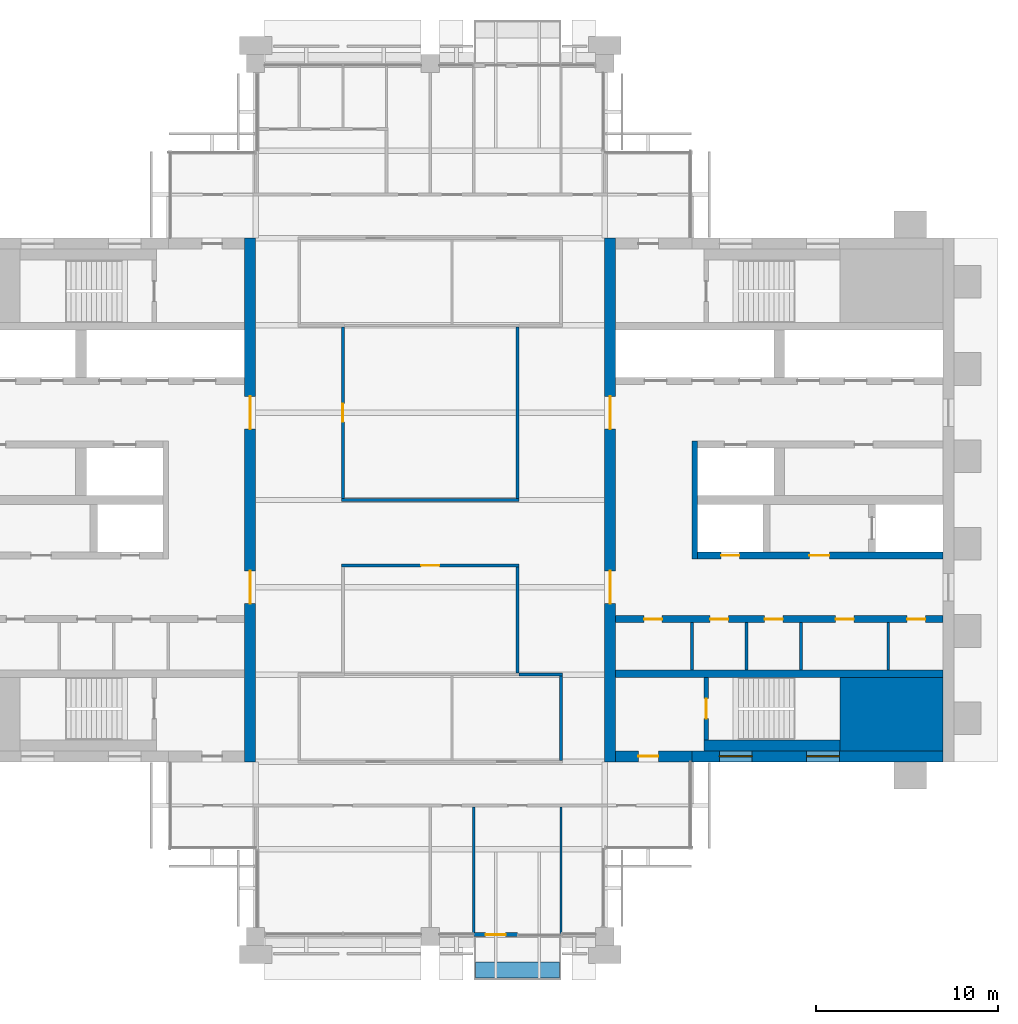
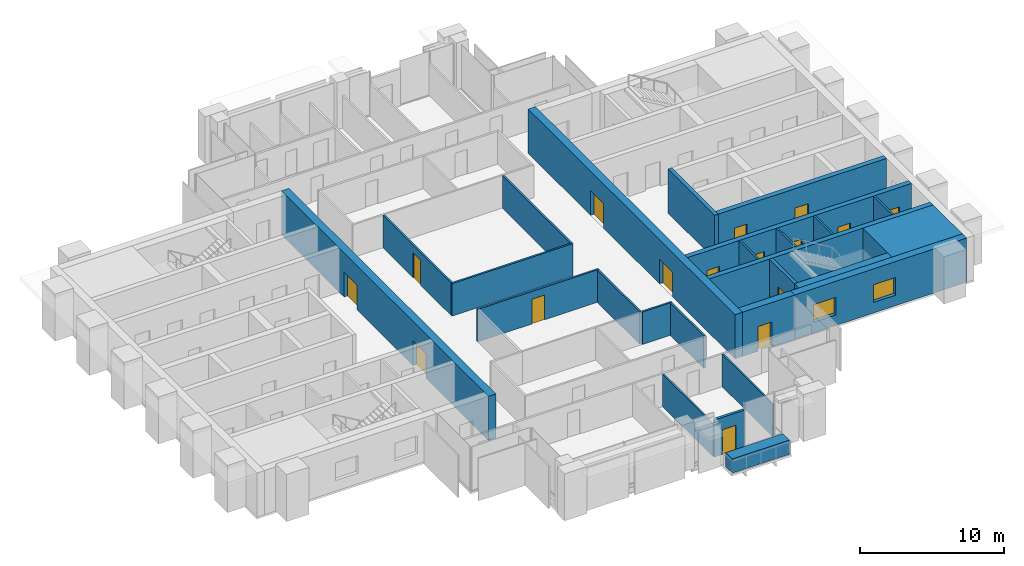
# One storey, part 9 of 13: 26 walls, 16 doors, 2 windows, 18 openings.
"""IFC4 building model written with IfcOpenShell, lengths in metres."""

from ifc_helpers import new_model, si_unit, direction, frame, frame_2d, origin, place, context, subcontext, project, spatial, rectangle, extrude, material, layer, layer_set, type_object, element, fill, save


model = new_model("IFC4")

# Units and contexts
model_context = context("Model", 3, precision=1e-05, world=origin(), true_north=direction((0.0, 1.0)))
body_context = subcontext(model_context, "Body", "Model", "MODEL_VIEW")
ifc_project = project(units=[si_unit("LENGTHUNIT", "METRE"), si_unit("AREAUNIT", "SQUARE_METRE"), si_unit("VOLUMEUNIT", "CUBIC_METRE"), si_unit("PLANEANGLEUNIT", "RADIAN"), si_unit("MASSUNIT", "GRAM", prefix="KILO")], contexts=[model_context])

# Site, building, storey
site_placement = place(None, origin())
site = spatial("IfcSite", under=ifc_project, at=site_placement, CompositionType="ELEMENT")
building_placement = place(site_placement, origin())
building = spatial("IfcBuilding", under=site, at=building_placement, Name="Baori Bourse Tower", CompositionType="ELEMENT")
storey_placement = place(building_placement, frame((0.0, 0.0, 350.300048828125)))
storey = spatial("IfcBuildingStorey", under=building, at=storey_placement, Name="L78", CompositionType="ELEMENT", Elevation=350.300048828125)

# Walls
ifc_material_1 = material(Name="Concrete f'c 40 MPa", Category="concrete")
wall_type_1 = type_object("IfcWallType", Name="Core corner block f'c 40", PredefinedType="SHEAR", material=ifc_material_1)
wall_1_placement = place(storey_placement, frame((51.35009765625, 12.22509765625, 0.0), z_axis=(0.0, 0.0, 1.0), x_axis=(1.0, 0.0, 0.0)))
element("IfcWall", 1, at=wall_1_placement, inside=storey, type_object=wall_type_1, Name="Core wall E05", PredefinedType="SHEAR", context=body_context, shape_type="SweptSolid", body=[
    extrude(rectangle(XDim=5.64990234375, YDim=4.050048828125, at=frame_2d((2.824951171875, 0.0))), origin(), (0.0, 0.0, 1.0), 3.75),
])
ifc_material_2 = material(Name="Blockwork partition", Category="masonry")
ifc_layer_1 = layer(ifc_material_2, 0.14990234375)
ifc_layer_set_1 = layer_set([ifc_layer_1], Name="Core partition 150")
wall_type_2 = type_object("IfcWallType", Name="Core partition 150", PredefinedType="PARTITIONING", material=ifc_layer_set_1)
for number, where, z_axis, x_axis, name in (
    (2, (54.0, 14.64990234375, 0.0), (0.0, 0.0, 1.0), (0.0, 1.0, 0.0), "Partition wall E09"),
    (3, (49.199951171875, 14.64990234375, 0.0), (0.0, 0.0, 1.0), (0.0, 1.0, 0.0), "Partition wall E10"),
    (4, (46.199951171875, 14.64990234375, 0.0), (0.0, 0.0, 1.0), (0.0, 1.0, 0.0), "Partition wall E11"),
    (5, (43.199951171875, 14.64990234375, 0.0), (0.0, 0.0, 1.0), (0.0, 1.0, 0.0), "Partition wall E12"),
):
    element("IfcWall", number, at=place(storey_placement, frame(where, z_axis=z_axis, x_axis=x_axis)), inside=storey, type_object=wall_type_2, Name=name, PredefinedType="PARTITIONING", context=body_context, shape_type="SweptSolid", body=[
        extrude(rectangle(XDim=2.60009765625, YDim=0.14990234375, at=frame_2d((1.300048828125, 0.0))), origin(), (0.0, 0.0, 1.0), 3.75),
    ])

# Wall, openings, doors
ifc_material_3 = material(Name="Concrete f'c 40 MPa", Category="concrete")
ifc_layer_2 = layer(ifc_material_3, 0.60009765625)
ifc_layer_set_2 = layer_set([ifc_layer_2], Name="Core wall 600 f'c 40")
wall_type_3 = type_object("IfcWallType", Name="Core wall 600 f'c 40", PredefinedType="SHEAR", material=ifc_layer_set_2)
wall_2_placement = place(storey_placement, frame((18.89990234375, 38.39990234375, 0.0), z_axis=(0.0, 0.0, 1.0), x_axis=(0.0, -1.0, 0.0)))
wall_2 = element("IfcWall", 6, at=wall_2_placement, inside=storey, type_object=wall_type_3, Name="Core wall W04", PredefinedType="SHEAR", context=body_context, shape_type="SweptSolid", body=[
    extrude(rectangle(XDim=28.7998046875, YDim=0.60009765625, at=frame_2d((14.39990234375, 0.0))), origin(), (0.0, 0.0, 1.0), 3.75),
])
opening_1_placement = place(wall_2_placement, frame((18.300048828125, 0.0, 0.0)))
opening_1 = element("IfcOpeningElement", 7, at=opening_1_placement, cuts=wall_2, Name="Opening L78-D107", PredefinedType="OPENING", context=body_context, shape_type="SweptSolid", body=[
    extrude(rectangle(XDim=1.800048828125, YDim=2.10009765625, at=frame_2d((0.89990234375, 1.050048828125))), frame((0.0, 0.31005859375, 0.0), z_axis=(0.0, -1.0, 0.0), x_axis=(1.0, 0.0, 0.0)), (0.0, 0.0, 1.0), 0.6201171875),
])
opening_2_placement = place(wall_2_placement, frame((8.699951171875, 0.0, 0.0)))
opening_2 = element("IfcOpeningElement", 8, at=opening_2_placement, cuts=wall_2, Name="Opening L78-D108", PredefinedType="OPENING", context=body_context, shape_type="SweptSolid", body=[
    extrude(rectangle(XDim=1.800048828125, YDim=2.10009765625, at=frame_2d((0.89990234375, 1.050048828125))), frame((0.0, 0.31005859375, 0.0), z_axis=(0.0, -1.0, 0.0), x_axis=(1.0, 0.0, 0.0)), (0.0, 0.0, 1.0), 0.6201171875),
])
ifc_material_4 = material(Name="Painted steel door", Category="steel")
door_type_1 = type_object("IfcDoorType", Name="Core lobby door 1800", OperationType="DOUBLE_DOOR_SINGLE_SWING", PredefinedType="DOOR", material=ifc_material_4)
door_1_placement = place(opening_1_placement, origin())
door_1 = element("IfcDoor", 9, at=door_1_placement, inside=storey, type_object=door_type_1, Name="Lobby door W L78", OperationType="DOUBLE_DOOR_SINGLE_SWING", OverallHeight=2.10009765625, OverallWidth=1.800048828125, PredefinedType="DOOR", context=body_context, shape_type="SweptSolid", body=[
    extrude(rectangle(XDim=1.800048828125, YDim=2.10009765625, at=frame_2d((0.89990234375, 1.050048828125))), frame((0.0, 0.02490234375, 0.0), z_axis=(0.0, -1.0, 0.0), x_axis=(1.0, 0.0, 0.0)), (0.0, 0.0, 1.0), 0.050048828125),
])
fill(opening_1, door_1)
door_2_placement = place(opening_2_placement, origin())
door_2 = element("IfcDoor", 10, at=door_2_placement, inside=storey, type_object=door_type_1, Name="Lobby door W L78", OperationType="DOUBLE_DOOR_SINGLE_SWING", OverallHeight=2.10009765625, OverallWidth=1.800048828125, PredefinedType="DOOR", context=body_context, shape_type="SweptSolid", body=[
    extrude(rectangle(XDim=1.800048828125, YDim=2.10009765625, at=frame_2d((0.89990234375, 1.050048828125))), frame((0.0, 0.02490234375, 0.0), z_axis=(0.0, -1.0, 0.0), x_axis=(1.0, 0.0, 0.0)), (0.0, 0.0, 1.0), 0.050048828125),
])
fill(opening_2, door_2)

# Wall, openings, windows
wall_3_placement = place(storey_placement, frame((57.0, 9.89990234375, 0.0), z_axis=(0.0, 0.0, 1.0), x_axis=(-1.0, 0.0, 0.0)))
wall_3 = element("IfcWall", 11, at=wall_3_placement, inside=storey, type_object=wall_type_3, Name="Core wall E02", PredefinedType="SHEAR", context=body_context, shape_type="SweptSolid", body=[
    extrude(rectangle(XDim=13.800048828125, YDim=0.60009765625, at=frame_2d((6.89990234375, 0.0))), origin(), (0.0, 0.0, 1.0), 3.75),
])
opening_3_placement = place(wall_3_placement, frame((5.699951171875, 0.0, 0.89990234375)))
opening_3 = element("IfcOpeningElement", 12, at=opening_3_placement, cuts=wall_3, Name="Opening L78-KW203", PredefinedType="OPENING", context=body_context, shape_type="SweptSolid", body=[
    extrude(rectangle(XDim=1.800048828125, YDim=1.5, at=frame_2d((0.89990234375, 0.75))), frame((0.0, 0.31005859375, 0.0), z_axis=(0.0, -1.0, 0.0), x_axis=(1.0, 0.0, 0.0)), (0.0, 0.0, 1.0), 0.6201171875),
])
opening_4_placement = place(wall_3_placement, frame((10.5, 0.0, 0.89990234375)))
opening_4 = element("IfcOpeningElement", 13, at=opening_4_placement, cuts=wall_3, Name="Opening L78-KW204", PredefinedType="OPENING", context=body_context, shape_type="SweptSolid", body=[
    extrude(rectangle(XDim=1.800048828125, YDim=1.5, at=frame_2d((0.89990234375, 0.75))), frame((0.0, 0.31005859375, 0.0), z_axis=(0.0, -1.0, 0.0), x_axis=(1.0, 0.0, 0.0)), (0.0, 0.0, 1.0), 0.6201171875),
])
ifc_material_5 = material(Name="Pale anodised aluminium", Category="aluminium")
window_type = type_object("IfcWindowType", Name="Stair window 1800 x 1500", PartitioningType="SINGLE_PANEL", PredefinedType="WINDOW", material=ifc_material_5)
window_1_placement = place(opening_3_placement, origin())
window_1 = element("IfcWindow", 14, at=window_1_placement, inside=storey, type_object=window_type, Name="Stair window E L78 3", OverallHeight=1.5, OverallWidth=1.800048828125, PartitioningType="SINGLE_PANEL", PredefinedType="WINDOW", context=body_context, shape_type="SweptSolid", body=[
    extrude(rectangle(XDim=1.800048828125, YDim=1.5, at=frame_2d((0.89990234375, 0.75))), frame((0.0, 0.030029296875, 0.0), z_axis=(0.0, -1.0, 0.0), x_axis=(1.0, 0.0, 0.0)), (0.0, 0.0, 1.0), 0.06005859375),
])
fill(opening_3, window_1)
window_2_placement = place(opening_4_placement, origin())
window_2 = element("IfcWindow", 15, at=window_2_placement, inside=storey, type_object=window_type, Name="Stair window E L78 4", OverallHeight=1.5, OverallWidth=1.800048828125, PartitioningType="SINGLE_PANEL", PredefinedType="WINDOW", context=body_context, shape_type="SweptSolid", body=[
    extrude(rectangle(XDim=1.800048828125, YDim=1.5, at=frame_2d((0.89990234375, 0.75))), frame((0.0, 0.030029296875, 0.0), z_axis=(0.0, -1.0, 0.0), x_axis=(1.0, 0.0, 0.0)), (0.0, 0.0, 1.0), 0.06005859375),
])
fill(opening_4, window_2)

# Wall, opening, door
wall_4_placement = place(storey_placement, frame((43.199951171875, 9.89990234375, 0.0), z_axis=(0.0, 0.0, 1.0), x_axis=(-1.0, 0.0, 0.0)))
wall_4 = element("IfcWall", 16, at=wall_4_placement, inside=storey, type_object=wall_type_3, Name="Core wall E03", PredefinedType="SHEAR", context=body_context, shape_type="SweptSolid", body=[
    extrude(rectangle(XDim=4.199951171875, YDim=0.60009765625, at=frame_2d((2.10009765625, 0.0))), origin(), (0.0, 0.0, 1.0), 3.75),
])
opening_5_placement = place(wall_4_placement, frame((1.85009765625, 0.0, 0.0)))
opening_5 = element("IfcOpeningElement", 17, at=opening_5_placement, cuts=wall_4, Name="Opening L78-D202", PredefinedType="OPENING", context=body_context, shape_type="SweptSolid", body=[
    extrude(rectangle(XDim=1.10009765625, YDim=2.10009765625, at=frame_2d((0.550048828125, 1.050048828125))), frame((0.0, 0.31005859375, 0.0), z_axis=(0.0, -1.0, 0.0), x_axis=(1.0, 0.0, 0.0)), (0.0, 0.0, 1.0), 0.6201171875),
])
ifc_material_6 = material(Name="Painted steel door", Category="steel")
door_type_2 = type_object("IfcDoorType", Name="Stair door 1100", OperationType="SINGLE_SWING_LEFT", PredefinedType="DOOR", material=ifc_material_6)
door_3_placement = place(opening_5_placement, origin())
door_3 = element("IfcDoor", 18, at=door_3_placement, inside=storey, type_object=door_type_2, Name="Stair vestibule door A E L78", OperationType="SINGLE_SWING_LEFT", OverallHeight=2.10009765625, OverallWidth=1.10009765625, PredefinedType="DOOR", context=body_context, shape_type="SweptSolid", body=[
    extrude(rectangle(XDim=1.10009765625, YDim=2.10009765625, at=frame_2d((0.550048828125, 1.050048828125))), frame((0.0, 0.02490234375, 0.0), z_axis=(0.0, -1.0, 0.0), x_axis=(1.0, 0.0, 0.0)), (0.0, 0.0, 1.0), 0.050048828125),
])
fill(opening_5, door_3)

# Wall, openings, doors
wall_5_placement = place(storey_placement, frame((38.699951171875, 9.60009765625, 0.0), z_axis=(0.0, 0.0, 1.0), x_axis=(0.0, 1.0, 0.0)))
wall_5 = element("IfcWall", 19, at=wall_5_placement, inside=storey, type_object=wall_type_3, Name="Core wall E04", PredefinedType="SHEAR", context=body_context, shape_type="SweptSolid", body=[
    extrude(rectangle(XDim=28.7998046875, YDim=0.60009765625, at=frame_2d((14.39990234375, 0.0))), origin(), (0.0, 0.0, 1.0), 3.75),
])
opening_6_placement = place(wall_5_placement, frame((8.699951171875, 0.0, 0.0)))
opening_6 = element("IfcOpeningElement", 20, at=opening_6_placement, cuts=wall_5, Name="Opening L78-D207", PredefinedType="OPENING", context=body_context, shape_type="SweptSolid", body=[
    extrude(rectangle(XDim=1.800048828125, YDim=2.10009765625, at=frame_2d((0.89990234375, 1.050048828125))), frame((0.0, 0.31005859375, 0.0), z_axis=(0.0, -1.0, 0.0), x_axis=(1.0, 0.0, 0.0)), (0.0, 0.0, 1.0), 0.6201171875),
])
opening_7_placement = place(wall_5_placement, frame((18.300048828125, 0.0, 0.0)))
opening_7 = element("IfcOpeningElement", 21, at=opening_7_placement, cuts=wall_5, Name="Opening L78-D208", PredefinedType="OPENING", context=body_context, shape_type="SweptSolid", body=[
    extrude(rectangle(XDim=1.800048828125, YDim=2.10009765625, at=frame_2d((0.89990234375, 1.050048828125))), frame((0.0, 0.31005859375, 0.0), z_axis=(0.0, -1.0, 0.0), x_axis=(1.0, 0.0, 0.0)), (0.0, 0.0, 1.0), 0.6201171875),
])
door_4_placement = place(opening_6_placement, origin())
door_4 = element("IfcDoor", 22, at=door_4_placement, inside=storey, type_object=door_type_1, Name="Lobby door E L78", OperationType="DOUBLE_DOOR_SINGLE_SWING", OverallHeight=2.10009765625, OverallWidth=1.800048828125, PredefinedType="DOOR", context=body_context, shape_type="SweptSolid", body=[
    extrude(rectangle(XDim=1.800048828125, YDim=2.10009765625, at=frame_2d((0.89990234375, 1.050048828125))), frame((0.0, 0.02490234375, 0.0), z_axis=(0.0, -1.0, 0.0), x_axis=(1.0, 0.0, 0.0)), (0.0, 0.0, 1.0), 0.050048828125),
])
fill(opening_6, door_4)
door_5_placement = place(opening_7_placement, origin())
door_5 = element("IfcDoor", 23, at=door_5_placement, inside=storey, type_object=door_type_1, Name="Lobby door E L78", OperationType="DOUBLE_DOOR_SINGLE_SWING", OverallHeight=2.10009765625, OverallWidth=1.800048828125, PredefinedType="DOOR", context=body_context, shape_type="SweptSolid", body=[
    extrude(rectangle(XDim=1.800048828125, YDim=2.10009765625, at=frame_2d((0.89990234375, 1.050048828125))), frame((0.0, 0.02490234375, 0.0), z_axis=(0.0, -1.0, 0.0), x_axis=(1.0, 0.0, 0.0)), (0.0, 0.0, 1.0), 0.050048828125),
])
fill(opening_7, door_5)

# Wall
ifc_material_7 = material(Name="Gypsum board partition")
ifc_layer_3 = layer(ifc_material_7, 0.14990234375)
ifc_layer_set_3 = layer_set([ifc_layer_3], Name="Corridor partition 150")
wall_type_4 = type_object("IfcWallType", Name="Corridor partition 150", PredefinedType="PARTITIONING", material=ifc_layer_set_3)
wall_6_placement = place(storey_placement, frame((33.675048828125, 14.39990234375, 0.0), z_axis=(0.0, 0.0, 1.0), x_axis=(1.0, 0.0, 0.0)))
element("IfcWall", 24, at=wall_6_placement, inside=storey, type_object=wall_type_4, Name="Partition", PredefinedType="PARTITIONING", context=body_context, shape_type="SweptSolid", body=[
    extrude(rectangle(XDim=2.39990234375, YDim=0.14990234375, at=frame_2d((1.199951171875, 0.0))), origin(), (0.0, 0.0, 1.0), 2.75927734375),
])

# Wall, opening, door
wall_7_placement = place(storey_placement, frame((23.925048828125, 20.39990234375, 0.0), z_axis=(0.0, 0.0, 1.0), x_axis=(1.0, 0.0, 0.0)))
wall_7 = element("IfcWall", 25, at=wall_7_placement, inside=storey, type_object=wall_type_4, Name="Partition", PredefinedType="PARTITIONING", context=body_context, shape_type="SweptSolid", body=[
    extrude(rectangle(XDim=9.75, YDim=0.14990234375, at=frame_2d((4.875, 0.0))), origin(), (0.0, 0.0, 1.0), 2.75927734375),
])
opening_8_placement = place(wall_7_placement, frame((4.375, 0.0, 0.0)))
opening_8 = element("IfcOpeningElement", 26, at=opening_8_placement, cuts=wall_7, Name="Opening L78-D08", PredefinedType="OPENING", context=body_context, shape_type="SweptSolid", body=[
    extrude(rectangle(XDim=1.0, YDim=2.10009765625, at=frame_2d((0.5, 1.050048828125))), frame((0.0, 0.0849609375, 0.0), z_axis=(0.0, -1.0, 0.0), x_axis=(1.0, 0.0, 0.0)), (0.0, 0.0, 1.0), 0.169921875),
])
ifc_material_8 = material(Name="Timber door leaf", Category="wood")
door_type_3 = type_object("IfcDoorType", Name="Door 1000 x 2100", OperationType="SINGLE_SWING_LEFT", PredefinedType="DOOR", material=ifc_material_8)
door_6_placement = place(opening_8_placement, origin())
door_6 = element("IfcDoor", 27, at=door_6_placement, inside=storey, type_object=door_type_3, Name="Door", OperationType="SINGLE_SWING_RIGHT", OverallHeight=2.10009765625, OverallWidth=1.0, PredefinedType="DOOR", context=body_context, shape_type="SweptSolid", body=[
    extrude(rectangle(XDim=1.0, YDim=2.10009765625, at=frame_2d((0.5, 1.050048828125))), frame((0.0, 0.02490234375, 0.0), z_axis=(0.0, -1.0, 0.0), x_axis=(1.0, 0.0, 0.0)), (0.0, 0.0, 1.0), 0.050048828125),
])
fill(opening_8, door_6)

# Wall
wall_8_placement = place(storey_placement, frame((23.925048828125, 24.0, 0.0), z_axis=(0.0, 0.0, 1.0), x_axis=(1.0, 0.0, 0.0)))
element("IfcWall", 28, at=wall_8_placement, inside=storey, type_object=wall_type_4, Name="Partition", PredefinedType="PARTITIONING", context=body_context, shape_type="SweptSolid", body=[
    extrude(rectangle(XDim=9.75, YDim=0.14990234375, at=frame_2d((4.875, 0.0))), origin(), (0.0, 0.0, 1.0), 2.75927734375),
])

# Wall, opening, door
wall_9_placement = place(storey_placement, frame((24.0, 24.074951171875, 0.0), z_axis=(0.0, 0.0, 1.0), x_axis=(0.0, 1.0, 0.0)))
wall_9 = element("IfcWall", 29, at=wall_9_placement, inside=storey, type_object=wall_type_4, Name="Partition", PredefinedType="PARTITIONING", context=body_context, shape_type="SweptSolid", body=[
    extrude(rectangle(XDim=9.449951171875, YDim=0.14990234375, at=frame_2d((4.72509765625, 0.0))), origin(), (0.0, 0.0, 1.0), 2.75927734375),
])
opening_9_placement = place(wall_9_placement, frame((4.22509765625, 0.0, 0.0)))
opening_9 = element("IfcOpeningElement", 30, at=opening_9_placement, cuts=wall_9, Name="Opening L78-D21", PredefinedType="OPENING", context=body_context, shape_type="SweptSolid", body=[
    extrude(rectangle(XDim=1.0, YDim=2.10009765625, at=frame_2d((0.5, 1.050048828125))), frame((0.0, 0.0849609375, 0.0), z_axis=(0.0, -1.0, 0.0), x_axis=(1.0, 0.0, 0.0)), (0.0, 0.0, 1.0), 0.169921875),
])
door_7_placement = place(opening_9_placement, origin())
door_7 = element("IfcDoor", 31, at=door_7_placement, inside=storey, type_object=door_type_3, Name="Door", OperationType="SINGLE_SWING_RIGHT", OverallHeight=2.10009765625, OverallWidth=1.0, PredefinedType="DOOR", context=body_context, shape_type="SweptSolid", body=[
    extrude(rectangle(XDim=1.0, YDim=2.10009765625, at=frame_2d((0.5, 1.050048828125))), frame((0.0, 0.02490234375, 0.0), z_axis=(0.0, -1.0, 0.0), x_axis=(1.0, 0.0, 0.0)), (0.0, 0.0, 1.0), 0.050048828125),
])
fill(opening_9, door_7)

# Walls
wall_10_placement = place(storey_placement, frame((33.60009765625, 14.47509765625, 0.0), z_axis=(0.0, 0.0, 1.0), x_axis=(0.0, 1.0, 0.0)))
element("IfcWall", 32, at=wall_10_placement, inside=storey, type_object=wall_type_4, Name="Partition", PredefinedType="PARTITIONING", context=body_context, shape_type="SweptSolid", body=[
    extrude(rectangle(XDim=5.849853515625, YDim=0.14990234375, at=frame_2d((2.9248046875, 0.0))), origin(), (0.0, 0.0, 1.0), 2.75927734375),
])
wall_11_placement = place(storey_placement, frame((33.60009765625, 24.074951171875, 0.0), z_axis=(0.0, 0.0, 1.0), x_axis=(0.0, 1.0, 0.0)))
element("IfcWall", 33, at=wall_11_placement, inside=storey, type_object=wall_type_4, Name="Partition", PredefinedType="PARTITIONING", context=body_context, shape_type="SweptSolid", body=[
    extrude(rectangle(XDim=9.449951171875, YDim=0.14990234375, at=frame_2d((4.72509765625, 0.0))), origin(), (0.0, 0.0, 1.0), 2.75927734375),
])
wall_12_placement = place(storey_placement, frame((36.0, 9.675048828125, 0.0), z_axis=(0.0, 0.0, 1.0), x_axis=(0.0, 1.0, 0.0)))
element("IfcWall", 34, at=wall_12_placement, inside=storey, type_object=wall_type_4, Name="Partition", PredefinedType="PARTITIONING", context=body_context, shape_type="SweptSolid", body=[
    extrude(rectangle(XDim=4.64990234375, YDim=0.14990234375, at=frame_2d((2.324951171875, 0.0))), origin(), (0.0, 0.0, 1.0), 2.75927734375),
])

# Wall, opening, door
ifc_material_9 = material(Name="Pale anodised aluminium", Category="aluminium")
ifc_layer_4 = layer(ifc_material_9, 0.199951171875)
ifc_layer_set_4 = layer_set([ifc_layer_4], Name="EW1 External wall bay")
wall_type_5 = type_object("IfcWallType", Name="EW1 External wall bay", PredefinedType="SOLIDWALL", material=ifc_layer_set_4)
wall_13_placement = place(storey_placement, frame((31.199951171875, 0.10009765625, 0.0), z_axis=(0.0, 0.0, 1.0), x_axis=(1.0, 0.0, 0.0)))
wall_13 = element("IfcWall", 35, at=wall_13_placement, inside=storey, type_object=wall_type_5, Name="External wall bay L78 2", PredefinedType="SOLIDWALL", context=body_context, shape_type="SweptSolid", body=[
    extrude(rectangle(XDim=2.400146484375, YDim=0.199951171875, at=frame_2d((1.2001953125, 0.0))), origin(), (0.0, 0.0, 1.0), 3.150390625),
])
opening_10_placement = place(wall_13_placement, frame((0.64990234375, 0.0, 0.0)))
opening_10 = element("IfcOpeningElement", 36, at=opening_10_placement, cuts=wall_13, Name="Opening L78-D92", PredefinedType="OPENING", context=body_context, shape_type="SweptSolid", body=[
    extrude(rectangle(XDim=1.10009765625, YDim=2.10009765625, at=frame_2d((0.550048828125, 1.050048828125))), frame((0.0, 0.10986328125, 0.0), z_axis=(0.0, -1.0, 0.0), x_axis=(1.0, 0.0, 0.0)), (0.0, 0.0, 1.0), 0.219970703125),
])
ifc_material_10 = material(Name="Pale anodised aluminium", Category="aluminium")
door_type_4 = type_object("IfcDoorType", Name="BL1 Balcony door", OperationType="SINGLE_SWING_LEFT", PredefinedType="DOOR", material=ifc_material_10)
door_8_placement = place(opening_10_placement, origin())
door_8 = element("IfcDoor", 37, at=door_8_placement, inside=storey, type_object=door_type_4, Name="Balcony door L78 2", OperationType="SINGLE_SWING_LEFT", OverallHeight=2.10009765625, OverallWidth=1.10009765625, PredefinedType="DOOR", context=body_context, shape_type="SweptSolid", body=[
    extrude(rectangle(XDim=1.10009765625, YDim=2.10009765625, at=frame_2d((0.550048828125, 1.050048828125))), frame((0.0, 0.02490234375, 0.0), z_axis=(0.0, -1.0, 0.0), x_axis=(1.0, 0.0, 0.0)), (0.0, 0.0, 1.0), 0.050048828125),
])
fill(opening_10, door_8)

# Walls
ifc_material_11 = material(Name="Concrete f'c 40 MPa", Category="concrete")
ifc_layer_5 = layer(ifc_material_11, 0.89990234375)
ifc_layer_set_5 = layer_set([ifc_layer_5], Name="PW1 Planter wall")
wall_type_6 = type_object("IfcWallType", Name="PW1 Planter wall", PredefinedType="USERDEFINED", material=ifc_layer_set_5)
wall_14_placement = place(storey_placement, frame((31.300048828125, -1.85009765625, 0.0), z_axis=(0.0, 0.0, 1.0), x_axis=(1.0, 0.0, 0.0)))
element("IfcWall", 38, at=wall_14_placement, inside=storey, type_object=wall_type_6, Name="Planter balcony S L78 1", ObjectType="PLANTER", PredefinedType="USERDEFINED", context=body_context, shape_type="SweptSolid", body=[
    extrude(rectangle(XDim=4.599853515625, YDim=0.89990234375, at=frame_2d((2.2998046875, 0.0))), origin(), (0.0, 0.0, 1.0), 1.199951171875),
])
ifc_material_12 = material(Name="Gypsum board partition")
ifc_layer_6 = layer(ifc_material_12, 0.125)
ifc_layer_set_6 = layer_set([ifc_layer_6], Name="Partition 125")
wall_type_7 = type_object("IfcWallType", Name="Partition 125", PredefinedType="PARTITIONING", material=ifc_layer_set_6)
for number, where, z_axis, x_axis, name in (
    (39, (31.199951171875, 0.10009765625, 0.0), (0.0, 0.0, 1.0), (0.0, 1.0, 0.0), "Partition"),
    (40, (36.0, 0.10009765625, 0.0), (0.0, 0.0, 1.0), (0.0, 1.0, 0.0), "Partition"),
):
    element("IfcWall", number, at=place(storey_placement, frame(where, z_axis=z_axis, x_axis=x_axis)), inside=storey, type_object=wall_type_7, Name=name, PredefinedType="PARTITIONING", context=body_context, shape_type="SweptSolid", body=[
        extrude(rectangle(XDim=7.02490234375, YDim=0.125, at=frame_2d((3.512451171875, 0.0))), origin(), (0.0, 0.0, 1.0), 2.75927734375),
    ])

# Wall, opening, door
ifc_material_13 = material(Name="Concrete f'c 40 MPa", Category="concrete")
ifc_layer_7 = layer(ifc_material_13, 0.25)
ifc_layer_set_7 = layer_set([ifc_layer_7], Name="Shaft wall 250 f'c 40")
wall_type_8 = type_object("IfcWallType", Name="Shaft wall 250 f'c 40", PredefinedType="SHEAR", material=ifc_layer_set_7)
wall_15_placement = place(storey_placement, frame((43.97509765625, 10.800048828125, 0.0), z_axis=(0.0, 0.0, 1.0), x_axis=(0.0, 1.0, 0.0)))
wall_15 = element("IfcWall", 41, at=wall_15_placement, inside=storey, type_object=wall_type_8, Name="Core wall E07", PredefinedType="SHEAR", context=body_context, shape_type="SweptSolid", body=[
    extrude(rectangle(XDim=3.449951171875, YDim=0.25, at=frame_2d((1.72509765625, 0.0))), origin(), (0.0, 0.0, 1.0), 3.75),
])
opening_11_placement = place(wall_15_placement, frame((1.175048828125, 0.0, 0.0)))
opening_11 = element("IfcOpeningElement", 42, at=opening_11_placement, cuts=wall_15, Name="Opening L78-D201", PredefinedType="OPENING", context=body_context, shape_type="SweptSolid", body=[
    extrude(rectangle(XDim=1.10009765625, YDim=2.10009765625, at=frame_2d((0.550048828125, 1.050048828125))), frame((0.0, 0.135009765625, 0.0), z_axis=(0.0, -1.0, 0.0), x_axis=(1.0, 0.0, 0.0)), (0.0, 0.0, 1.0), 0.27001953125),
])
door_9_placement = place(opening_11_placement, origin())
door_9 = element("IfcDoor", 43, at=door_9_placement, inside=storey, type_object=door_type_2, Name="Stair door A E L78", OperationType="SINGLE_SWING_LEFT", OverallHeight=2.10009765625, OverallWidth=1.10009765625, PredefinedType="DOOR", context=body_context, shape_type="SweptSolid", body=[
    extrude(rectangle(XDim=1.10009765625, YDim=2.10009765625, at=frame_2d((0.550048828125, 1.050048828125))), frame((0.0, 0.02490234375, 0.0), z_axis=(0.0, -1.0, 0.0), x_axis=(1.0, 0.0, 0.0)), (0.0, 0.0, 1.0), 0.050048828125),
])
fill(opening_11, door_9)

# Walls
ifc_material_14 = material(Name="Concrete f'c 40 MPa", Category="concrete")
ifc_layer_8 = layer(ifc_material_14, 0.300048828125)
ifc_layer_set_8 = layer_set([ifc_layer_8], Name="Shaft wall 300 f'c 40")
wall_type_9 = type_object("IfcWallType", Name="Shaft wall 300 f'c 40", PredefinedType="SHEAR", material=ifc_layer_set_8)
wall_16_placement = place(storey_placement, frame((43.35009765625, 20.75, 0.0), z_axis=(0.0, 0.0, 1.0), x_axis=(0.0, 1.0, 0.0)))
element("IfcWall", 44, at=wall_16_placement, inside=storey, type_object=wall_type_9, Name="Core wall E15", PredefinedType="SHEAR", context=body_context, shape_type="SweptSolid", body=[
    extrude(rectangle(XDim=6.5, YDim=0.300048828125, at=frame_2d((3.25, 0.0))), origin(), (0.0, 0.0, 1.0), 3.75),
])
ifc_material_15 = material(Name="Concrete f'c 40 MPa", Category="concrete")
ifc_layer_9 = layer(ifc_material_15, 0.39990234375)
ifc_layer_set_9 = layer_set([ifc_layer_9], Name="Shaft wall 400 f'c 40")
wall_type_10 = type_object("IfcWallType", Name="Shaft wall 400 f'c 40", PredefinedType="SHEAR", material=ifc_layer_set_9)
wall_17_placement = place(storey_placement, frame((39.0, 14.449951171875, 0.0), z_axis=(0.0, 0.0, 1.0), x_axis=(1.0, 0.0, 0.0)))
element("IfcWall", 45, at=wall_17_placement, inside=storey, type_object=wall_type_10, Name="Core wall E08", PredefinedType="SHEAR", context=body_context, shape_type="SweptSolid", body=[
    extrude(rectangle(XDim=18.0, YDim=0.39990234375, at=frame_2d((9.0, 0.0))), origin(), (0.0, 0.0, 1.0), 3.75),
])

# Wall, openings, doors
wall_18_placement = place(storey_placement, frame((39.0, 17.449951171875, 0.0), z_axis=(0.0, 0.0, 1.0), x_axis=(1.0, 0.0, 0.0)))
wall_18 = element("IfcWall", 46, at=wall_18_placement, inside=storey, type_object=wall_type_10, Name="Core wall E13", PredefinedType="SHEAR", context=body_context, shape_type="SweptSolid", body=[
    extrude(rectangle(XDim=18.0, YDim=0.39990234375, at=frame_2d((9.0, 0.0))), origin(), (0.0, 0.0, 1.0), 3.75),
])
opening_12_placement = place(wall_18_placement, frame((16.03759765625, 0.0, 0.0)))
opening_12 = element("IfcOpeningElement", 47, at=opening_12_placement, cuts=wall_18, Name="Opening L78-D209", PredefinedType="OPENING", context=body_context, shape_type="SweptSolid", body=[
    extrude(rectangle(XDim=1.0, YDim=2.10009765625, at=frame_2d((0.5, 1.050048828125))), frame((0.0, 0.2099609375, 0.0), z_axis=(0.0, -1.0, 0.0), x_axis=(1.0, 0.0, 0.0)), (0.0, 0.0, 1.0), 0.419921875),
])
opening_13_placement = place(wall_18_placement, frame((12.10009765625, 0.0, 0.0)))
opening_13 = element("IfcOpeningElement", 48, at=opening_13_placement, cuts=wall_18, Name="Opening L78-D210", PredefinedType="OPENING", context=body_context, shape_type="SweptSolid", body=[
    extrude(rectangle(XDim=1.0, YDim=2.10009765625, at=frame_2d((0.5, 1.050048828125))), frame((0.0, 0.2099609375, 0.0), z_axis=(0.0, -1.0, 0.0), x_axis=(1.0, 0.0, 0.0)), (0.0, 0.0, 1.0), 0.419921875),
])
opening_14_placement = place(wall_18_placement, frame((8.199951171875, 0.0, 0.0)))
opening_14 = element("IfcOpeningElement", 49, at=opening_14_placement, cuts=wall_18, Name="Opening L78-D211", PredefinedType="OPENING", context=body_context, shape_type="SweptSolid", body=[
    extrude(rectangle(XDim=1.0, YDim=2.10009765625, at=frame_2d((0.5, 1.050048828125))), frame((0.0, 0.2099609375, 0.0), z_axis=(0.0, -1.0, 0.0), x_axis=(1.0, 0.0, 0.0)), (0.0, 0.0, 1.0), 0.419921875),
])
opening_15_placement = place(wall_18_placement, frame((5.199951171875, 0.0, 0.0)))
opening_15 = element("IfcOpeningElement", 50, at=opening_15_placement, cuts=wall_18, Name="Opening L78-D212", PredefinedType="OPENING", context=body_context, shape_type="SweptSolid", body=[
    extrude(rectangle(XDim=1.0, YDim=2.10009765625, at=frame_2d((0.5, 1.050048828125))), frame((0.0, 0.2099609375, 0.0), z_axis=(0.0, -1.0, 0.0), x_axis=(1.0, 0.0, 0.0)), (0.0, 0.0, 1.0), 0.419921875),
])
opening_16_placement = place(wall_18_placement, frame((1.5625, 0.0, 0.0)))
opening_16 = element("IfcOpeningElement", 51, at=opening_16_placement, cuts=wall_18, Name="Opening L78-D213", PredefinedType="OPENING", context=body_context, shape_type="SweptSolid", body=[
    extrude(rectangle(XDim=1.0, YDim=2.10009765625, at=frame_2d((0.5, 1.050048828125))), frame((0.0, 0.2099609375, 0.0), z_axis=(0.0, -1.0, 0.0), x_axis=(1.0, 0.0, 0.0)), (0.0, 0.0, 1.0), 0.419921875),
])
ifc_material_16 = material(Name="Painted steel door", Category="steel")
door_type_5 = type_object("IfcDoorType", Name="Core door 1000", OperationType="SINGLE_SWING_LEFT", PredefinedType="DOOR", material=ifc_material_16)
door_10_placement = place(opening_12_placement, origin())
door_10 = element("IfcDoor", 52, at=door_10_placement, inside=storey, type_object=door_type_5, Name="Pantry door E L78", OperationType="SINGLE_SWING_LEFT", OverallHeight=2.10009765625, OverallWidth=1.0, PredefinedType="DOOR", context=body_context, shape_type="SweptSolid", body=[
    extrude(rectangle(XDim=1.0, YDim=2.10009765625, at=frame_2d((0.5, 1.050048828125))), frame((0.0, 0.02490234375, 0.0), z_axis=(0.0, -1.0, 0.0), x_axis=(1.0, 0.0, 0.0)), (0.0, 0.0, 1.0), 0.050048828125),
])
fill(opening_12, door_10)
door_11_placement = place(opening_13_placement, origin())
door_11 = element("IfcDoor", 53, at=door_11_placement, inside=storey, type_object=door_type_5, Name="Men'S Wc door E L78", OperationType="SINGLE_SWING_LEFT", OverallHeight=2.10009765625, OverallWidth=1.0, PredefinedType="DOOR", context=body_context, shape_type="SweptSolid", body=[
    extrude(rectangle(XDim=1.0, YDim=2.10009765625, at=frame_2d((0.5, 1.050048828125))), frame((0.0, 0.02490234375, 0.0), z_axis=(0.0, -1.0, 0.0), x_axis=(1.0, 0.0, 0.0)), (0.0, 0.0, 1.0), 0.050048828125),
])
fill(opening_13, door_11)
door_12_placement = place(opening_14_placement, origin())
door_12 = element("IfcDoor", 54, at=door_12_placement, inside=storey, type_object=door_type_5, Name="Accessible Wc door E L78", OperationType="SINGLE_SWING_LEFT", OverallHeight=2.10009765625, OverallWidth=1.0, PredefinedType="DOOR", context=body_context, shape_type="SweptSolid", body=[
    extrude(rectangle(XDim=1.0, YDim=2.10009765625, at=frame_2d((0.5, 1.050048828125))), frame((0.0, 0.02490234375, 0.0), z_axis=(0.0, -1.0, 0.0), x_axis=(1.0, 0.0, 0.0)), (0.0, 0.0, 1.0), 0.050048828125),
])
fill(opening_14, door_12)
door_13_placement = place(opening_15_placement, origin())
door_13 = element("IfcDoor", 55, at=door_13_placement, inside=storey, type_object=door_type_5, Name="Store Room door E L78", OperationType="SINGLE_SWING_LEFT", OverallHeight=2.10009765625, OverallWidth=1.0, PredefinedType="DOOR", context=body_context, shape_type="SweptSolid", body=[
    extrude(rectangle(XDim=1.0, YDim=2.10009765625, at=frame_2d((0.5, 1.050048828125))), frame((0.0, 0.02490234375, 0.0), z_axis=(0.0, -1.0, 0.0), x_axis=(1.0, 0.0, 0.0)), (0.0, 0.0, 1.0), 0.050048828125),
])
fill(opening_15, door_13)
door_14_placement = place(opening_16_placement, origin())
door_14 = element("IfcDoor", 56, at=door_14_placement, inside=storey, type_object=door_type_5, Name="Women'S Wc door E L78", OperationType="SINGLE_SWING_LEFT", OverallHeight=2.10009765625, OverallWidth=1.0, PredefinedType="DOOR", context=body_context, shape_type="SweptSolid", body=[
    extrude(rectangle(XDim=1.0, YDim=2.10009765625, at=frame_2d((0.5, 1.050048828125))), frame((0.0, 0.02490234375, 0.0), z_axis=(0.0, -1.0, 0.0), x_axis=(1.0, 0.0, 0.0)), (0.0, 0.0, 1.0), 0.050048828125),
])
fill(opening_16, door_14)

wall_19_placement = place(storey_placement, frame((43.5, 20.949951171875, 0.0), z_axis=(0.0, 0.0, 1.0), x_axis=(1.0, 0.0, 0.0)))
wall_19 = element("IfcWall", 57, at=wall_19_placement, inside=storey, type_object=wall_type_10, Name="Core wall E14", PredefinedType="SHEAR", context=body_context, shape_type="SweptSolid", body=[
    extrude(rectangle(XDim=13.5, YDim=0.39990234375, at=frame_2d((6.75, 0.0))), origin(), (0.0, 0.0, 1.0), 3.75),
])
opening_17_placement = place(wall_19_placement, frame((6.14990234375, 0.0, 0.0)))
opening_17 = element("IfcOpeningElement", 58, at=opening_17_placement, cuts=wall_19, Name="Opening L78-D205", PredefinedType="OPENING", context=body_context, shape_type="SweptSolid", body=[
    extrude(rectangle(XDim=1.10009765625, YDim=2.10009765625, at=frame_2d((0.550048828125, 1.050048828125))), frame((0.0, 0.2099609375, 0.0), z_axis=(0.0, -1.0, 0.0), x_axis=(1.0, 0.0, 0.0)), (0.0, 0.0, 1.0), 0.419921875),
])
opening_18_placement = place(wall_19_placement, frame((1.300048828125, 0.0, 0.0)))
opening_18 = element("IfcOpeningElement", 59, at=opening_18_placement, cuts=wall_19, Name="Opening L78-D206", PredefinedType="OPENING", context=body_context, shape_type="SweptSolid", body=[
    extrude(rectangle(XDim=1.0, YDim=2.10009765625, at=frame_2d((0.5, 1.050048828125))), frame((0.0, 0.2099609375, 0.0), z_axis=(0.0, -1.0, 0.0), x_axis=(1.0, 0.0, 0.0)), (0.0, 0.0, 1.0), 0.419921875),
])
ifc_material_17 = material(Name="Painted steel door", Category="steel")
door_type_6 = type_object("IfcDoorType", Name="Lobby door 1100", OperationType="SINGLE_SWING_LEFT", PredefinedType="DOOR", material=ifc_material_17)
door_15_placement = place(opening_17_placement, origin())
door_15 = element("IfcDoor", 60, at=door_15_placement, inside=storey, type_object=door_type_6, Name="Firefighting lobby door E L78", OperationType="SINGLE_SWING_LEFT", OverallHeight=2.10009765625, OverallWidth=1.10009765625, PredefinedType="DOOR", context=body_context, shape_type="SweptSolid", body=[
    extrude(rectangle(XDim=1.10009765625, YDim=2.10009765625, at=frame_2d((0.550048828125, 1.050048828125))), frame((0.0, 0.02490234375, 0.0), z_axis=(0.0, -1.0, 0.0), x_axis=(1.0, 0.0, 0.0)), (0.0, 0.0, 1.0), 0.050048828125),
])
fill(opening_17, door_15)
ifc_material_18 = material(Name="Painted steel door", Category="steel")
door_type_7 = type_object("IfcDoorType", Name="Shaft door 1000", OperationType="SINGLE_SWING_LEFT", PredefinedType="DOOR", material=ifc_material_18)
door_16_placement = place(opening_18_placement, origin())
door_16 = element("IfcDoor", 61, at=door_16_placement, inside=storey, type_object=door_type_7, Name="Riser room door E L78", OperationType="SINGLE_SWING_LEFT", OverallHeight=2.10009765625, OverallWidth=1.0, PredefinedType="DOOR", context=body_context, shape_type="SweptSolid", body=[
    extrude(rectangle(XDim=1.0, YDim=2.10009765625, at=frame_2d((0.5, 1.050048828125))), frame((0.0, 0.02490234375, 0.0), z_axis=(0.0, -1.0, 0.0), x_axis=(1.0, 0.0, 0.0)), (0.0, 0.0, 1.0), 0.050048828125),
])
fill(opening_18, door_16)

# Wall
ifc_material_19 = material(Name="Concrete f'c 40 MPa", Category="concrete")
ifc_layer_10 = layer(ifc_material_19, 0.60009765625)
ifc_layer_set_10 = layer_set([ifc_layer_10], Name="Shaft wall 600 f'c 40")
wall_type_11 = type_object("IfcWallType", Name="Shaft wall 600 f'c 40", PredefinedType="SHEAR", material=ifc_layer_set_10)
wall_20_placement = place(storey_placement, frame((43.85009765625, 10.5, 0.0), z_axis=(0.0, 0.0, 1.0), x_axis=(1.0, 0.0, 0.0)))
element("IfcWall", 62, at=wall_20_placement, inside=storey, type_object=wall_type_11, Name="Core wall E06", PredefinedType="SHEAR", context=body_context, shape_type="SweptSolid", body=[
    extrude(rectangle(XDim=7.5, YDim=0.60009765625, at=frame_2d((3.75, 0.0))), origin(), (0.0, 0.0, 1.0), 3.75),
])

save(model, "model.ifc")
